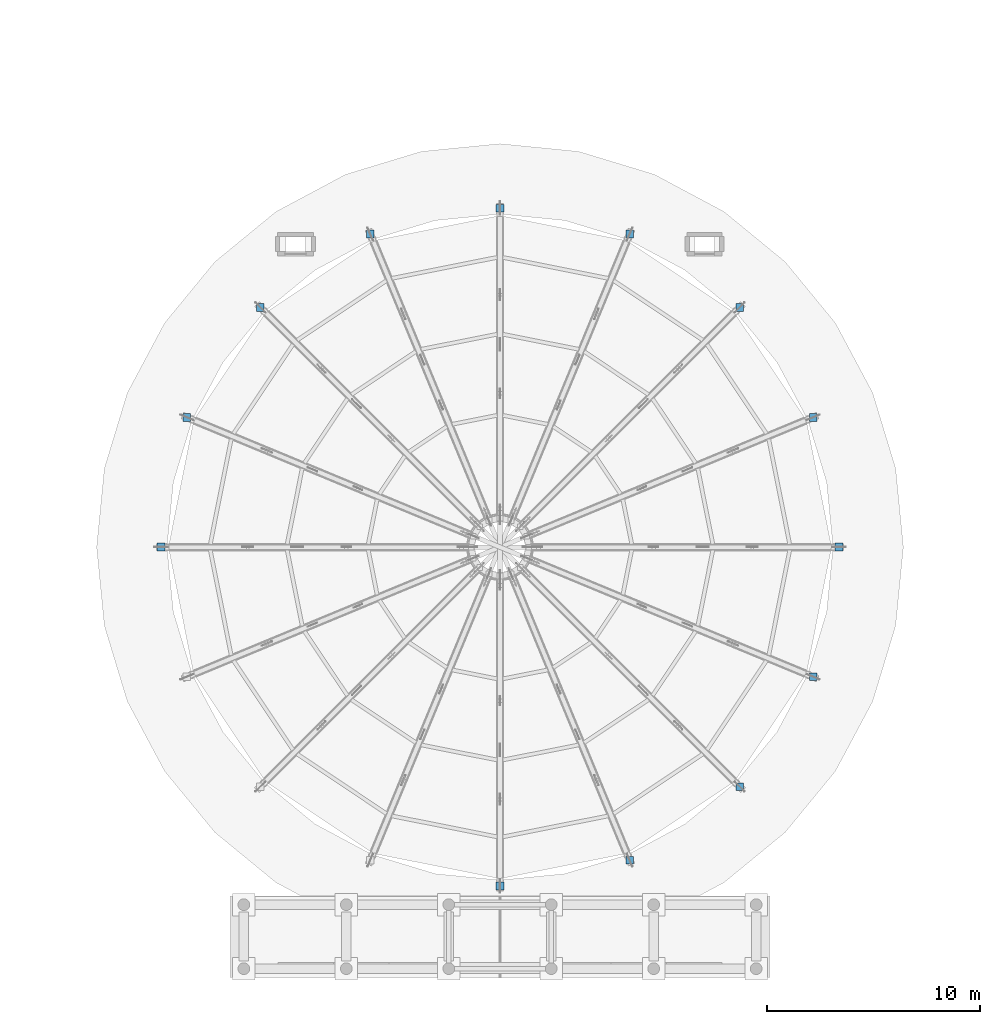
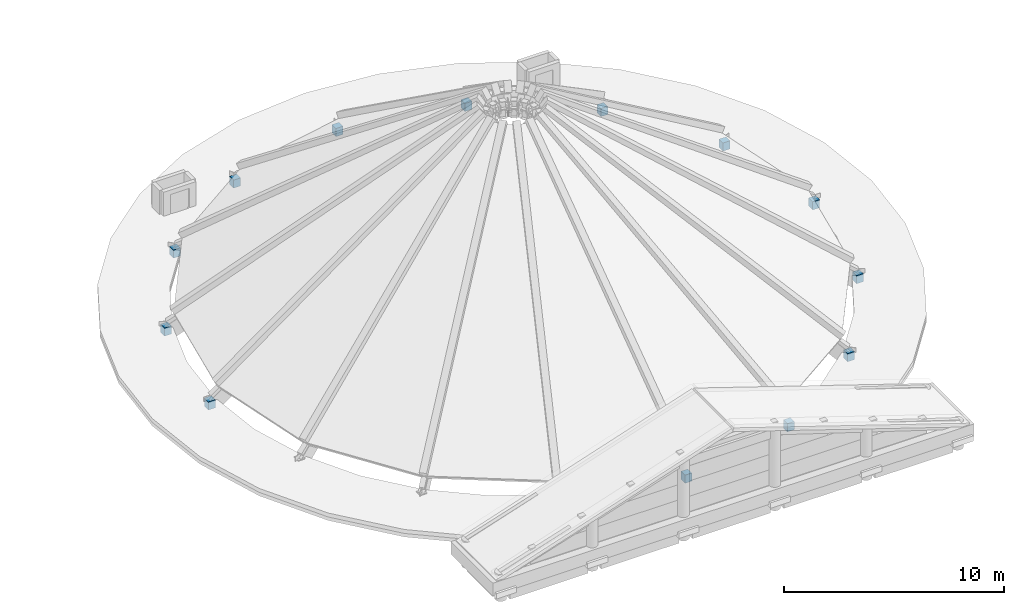
# One storey, part 5 of 58: 13 columns.
"""IFC4 building model written with IfcOpenShell, lengths in metres."""

from ifc_helpers import new_model, si_unit, direction, frame, origin, origin_2d, place, context, subcontext, project, spatial, rectangle, extrude, material, material_profile, profile_set, type_object, element, save


model = new_model("IFC4")

# Units and contexts
model_context = context("Model", 3, precision=1e-05, world=origin(), true_north=direction((0.0, 1.0)))
body_context = subcontext(model_context, "Body", "Model", "MODEL_VIEW")
ifc_project = project(units=[si_unit("LENGTHUNIT", "METRE"), si_unit("AREAUNIT", "SQUARE_METRE"), si_unit("VOLUMEUNIT", "CUBIC_METRE"), si_unit("PLANEANGLEUNIT", "RADIAN"), si_unit("MASSUNIT", "GRAM", prefix="KILO")], contexts=[model_context])

# Site, building, storey
site_placement = place(None, origin())
site = spatial("IfcSite", under=ifc_project, at=site_placement, CompositionType="ELEMENT")
building_placement = place(site_placement, origin())
building = spatial("IfcBuilding", under=site, at=building_placement, Name="Aldenvaro Health Centre", CompositionType="ELEMENT")
storey_placement = place(building_placement, frame((0.0, 0.0, 8.75)))
storey = spatial("IfcBuildingStorey", under=building, at=storey_placement, Name="L02", CompositionType="ELEMENT", Elevation=8.75)

# Columns
ifc_material = material(Name="Glulam GL28h", Category="wood")
ifc_material_profile = material_profile(ifc_material, rectangle(XDim=0.364990234375, YDim=0.364990234375, at=origin_2d()), Name="GL 365x365", Category="wood")
ifc_profile_set = profile_set([ifc_material_profile], Name="Glulam GL28h")
column_type = type_object("IfcColumnType", Name="COL-GL-365", PredefinedType="COLUMN", material=ifc_profile_set)
for number, where, z_axis, x_axis, name in (
    (1, (102.8798828125, 20.0, 0.0), (0.0, 0.0, 1.0), (1.0, 0.0, 0.0), "Waiting Hall Roof Truss Heel Post 01"),
    (2, (101.6708984375, 26.076904296875, 0.0), (0.0, 0.0, 1.0), (1.0, 0.0, 0.0), "Waiting Hall Roof Truss Heel Post 02"),
    (3, (98.22900390625, 31.22900390625, 0.0), (0.0, 0.0, 1.0), (1.0, 0.0, 0.0), "Waiting Hall Roof Truss Heel Post 03"),
    (4, (93.076904296875, 34.6708984375, 0.0), (0.0, 0.0, 1.0), (1.0, 0.0, 0.0), "Waiting Hall Roof Truss Heel Post 04"),
    (5, (87.0, 35.8798828125, 0.0), (0.0, 0.0, 1.0), (1.0, 0.0, 0.0), "Waiting Hall Roof Truss Heel Post 05"),
    (6, (80.923095703125, 34.6708984375, 0.0), (0.0, 0.0, 1.0), (1.0, 0.0, 0.0), "Waiting Hall Roof Truss Heel Post 06"),
    (7, (75.77099609375, 31.22900390625, 0.0), (0.0, 0.0, 1.0), (1.0, 0.0, 0.0), "Waiting Hall Roof Truss Heel Post 07"),
    (8, (72.3291015625, 26.076904296875, 0.0), (0.0, 0.0, 1.0), (1.0, 0.0, 0.0), "Waiting Hall Roof Truss Heel Post 08"),
    (9, (71.1201171875, 20.0, 0.0), (0.0, 0.0, 1.0), (1.0, 0.0, 0.0), "Waiting Hall Roof Truss Heel Post 09"),
    (10, (87.0, 4.1201171875, 0.0), (0.0, 0.0, 1.0), (1.0, 0.0, 0.0), "Waiting Hall Roof Truss Heel Post 13"),
    (11, (93.076904296875, 5.3291015625, 0.0), (0.0, 0.0, 1.0), (1.0, 0.0, 0.0), "Waiting Hall Roof Truss Heel Post 14"),
    (12, (98.22900390625, 8.77099609375, 0.0), (0.0, 0.0, 1.0), (1.0, 0.0, 0.0), "Waiting Hall Roof Truss Heel Post 15"),
    (13, (101.6708984375, 13.923095703125, 0.0), (0.0, 0.0, 1.0), (1.0, 0.0, 0.0), "Waiting Hall Roof Truss Heel Post 16"),
):
    element("IfcColumn", number, at=place(storey_placement, frame(where, z_axis=z_axis, x_axis=x_axis)), inside=storey, type_object=column_type, Name=name, PredefinedType="COLUMN", context=body_context, shape_type="SweptSolid", body=[
        extrude(rectangle(XDim=0.364990234375, YDim=0.364990234375, at=origin_2d()), origin(), (0.0, 0.0, 1.0), 0.449951171875),
    ])

save(model, "model.ifc")
